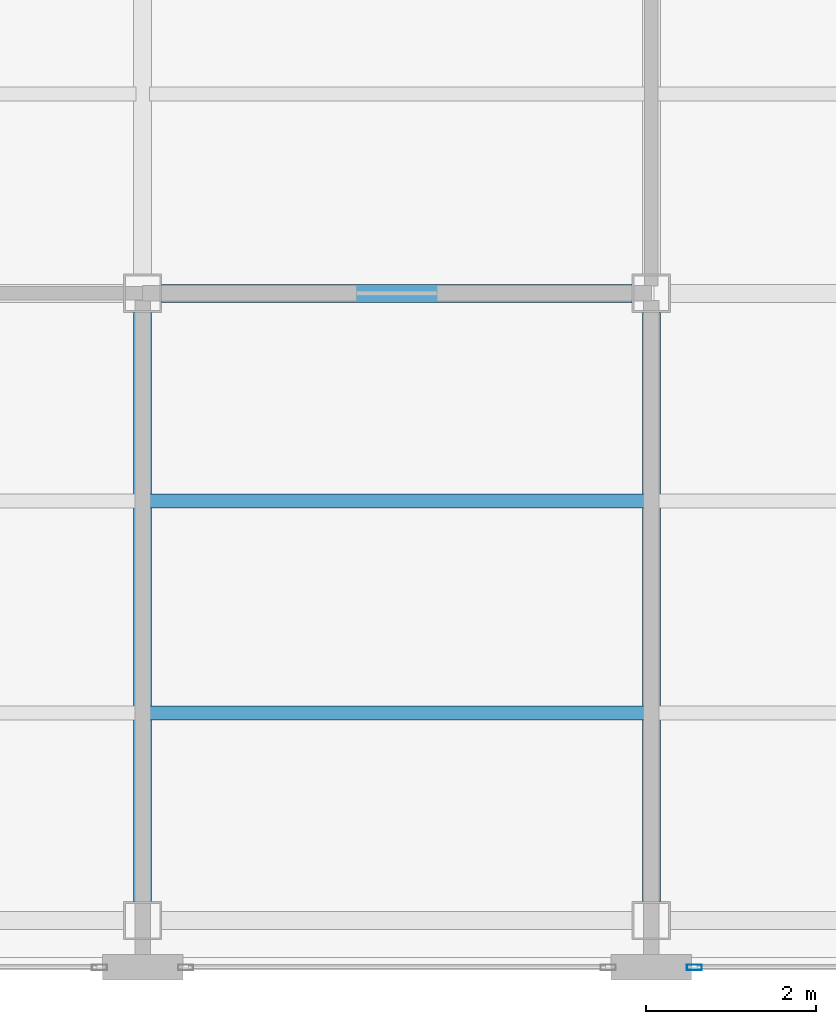
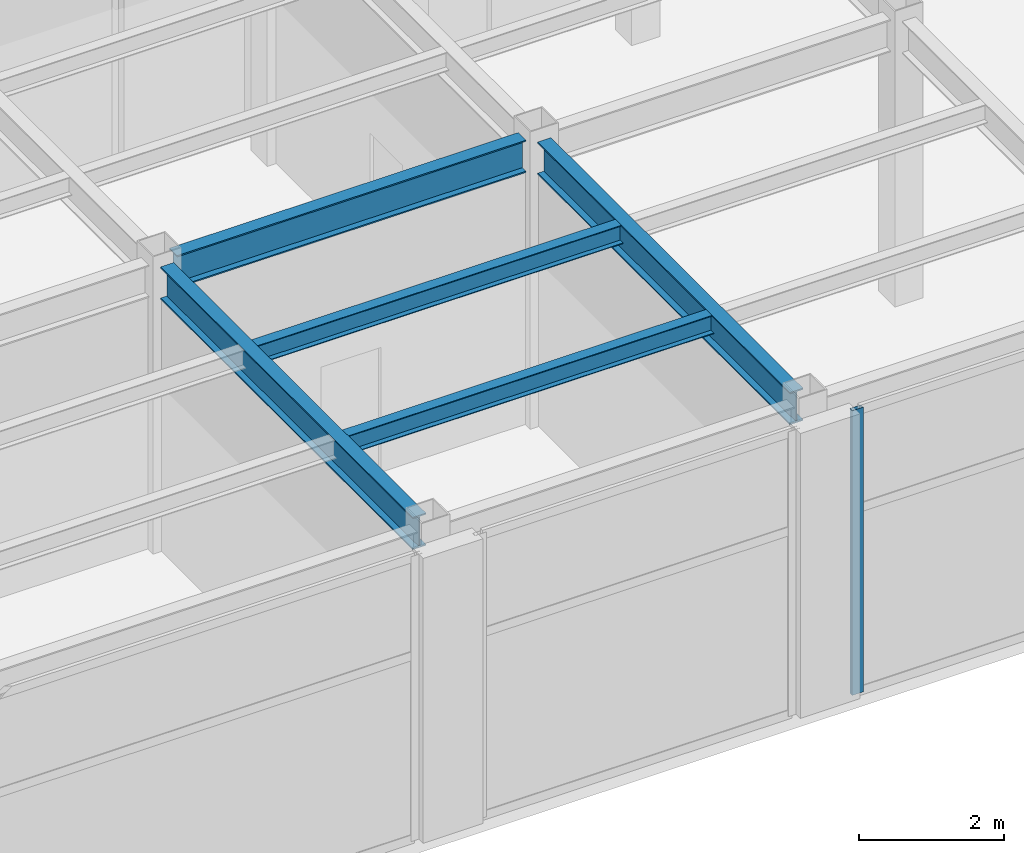
# One storey, part 5 of 16: 5 beams, 1 member, 1 element without a shape of its own.
"""IFC4 building model written with IfcOpenShell, lengths in metres."""

from ifc_helpers import new_model, si_unit, direction, frame, origin, origin_2d, place, context, subcontext, project, spatial, hollow_rectangle, i_section, extrude, material, layer, layer_set, material_profile, profile_set, type_object, element, aggregate, save


model = new_model("IFC4")

# Units and contexts
model_context = context("Model", 3, precision=1e-05, world=origin(), true_north=direction((0.0, 1.0)))
body_context = subcontext(model_context, "Body", "Model", "MODEL_VIEW")
ifc_project = project(units=[si_unit("LENGTHUNIT", "METRE"), si_unit("AREAUNIT", "SQUARE_METRE"), si_unit("VOLUMEUNIT", "CUBIC_METRE"), si_unit("PLANEANGLEUNIT", "RADIAN"), si_unit("MASSUNIT", "GRAM", prefix="KILO")], contexts=[model_context])

# Site, building, storey
site_placement = place(None, origin())
site = spatial("IfcSite", under=ifc_project, at=site_placement, CompositionType="ELEMENT")
building_placement = place(site_placement, origin())
building = spatial("IfcBuilding", under=site, at=building_placement, Name="Mawjaban Terraces University", CompositionType="ELEMENT")
storey_placement = place(building_placement, frame((0.0, 0.0, 170.800048828125)))
storey = spatial("IfcBuildingStorey", under=building, at=storey_placement, Name="L41", CompositionType="ELEMENT", Elevation=170.800048828125)

# Beams
ifc_material_1 = material(Name="Steel ASTM A572 Grade 50", Category="steel")
ifc_material_profile_1 = material_profile(ifc_material_1, i_section(OverallWidth=0.2119140625, OverallDepth=0.5439453125, WebThickness=0.01318359375, FlangeThickness=0.021240234375, at=origin_2d()), Name="W530X123")
ifc_profile_set_1 = profile_set([ifc_material_profile_1], Name="Steel ASTM A572 Grade 50")
beam_type_1 = type_object("IfcBeamType", Name="Beam_B_W530X123", PredefinedType="BEAM", material=ifc_profile_set_1)
beam_placement = place(storey_placement, frame((46.22509765625, 7.949951171875, 4.51806640625), z_axis=(1.0, 0.0, 0.0), x_axis=(0.0, 1.0, 0.0)))
element("IfcBeam", 1, at=beam_placement, inside=storey, type_object=beam_type_1, Name="L41 Beam BM-L41-EW-05", PredefinedType="BEAM", context=body_context, shape_type="SweptSolid", body=[
    extrude(i_section(OverallWidth=0.2119140625, OverallDepth=0.5439453125, WebThickness=0.01318359375, FlangeThickness=0.021240234375, at=origin_2d()), origin(), (0.0, 0.0, 1.0), 5.5498046875),
])
for number, where, z_axis, x_axis, name in (
    (2, (46.0, 0.77490234375, 4.51806640625), (0.0, 1.0, 0.0), (-1.0, 0.0, 0.0), "L41 Beam BM-L41-NS-10"),
    (3, (52.0, 0.77490234375, 4.51806640625), (0.0, 1.0, 0.0), (-1.0, 0.0, 0.0), "L41 Beam BM-L41-NS-12"),
):
    element("IfcBeam", number, at=place(storey_placement, frame(where, z_axis=z_axis, x_axis=x_axis)), inside=storey, type_object=beam_type_1, Name=name, PredefinedType="BEAM", context=body_context, shape_type="SweptSolid", body=[
        extrude(i_section(OverallWidth=0.2119140625, OverallDepth=0.5439453125, WebThickness=0.01318359375, FlangeThickness=0.021240234375, at=origin_2d()), origin(), (0.0, 0.0, 1.0), 6.9501953125),
    ])
ifc_material_profile_2 = material_profile(ifc_material_1, i_section(OverallWidth=0.1669921875, OverallDepth=0.318115234375, WebThickness=0.007568359375, FlangeThickness=0.01318359375, at=origin_2d()), Name="W310X52")
ifc_profile_set_2 = profile_set([ifc_material_profile_2], Name="Steel ASTM A572 Grade 50")
beam_type_2 = type_object("IfcBeamType", Name="Beam_J_W310X52", PredefinedType="JOIST", material=ifc_profile_set_2)
for number, where, z_axis, x_axis, name in (
    (4, (46.080078125, 3.0, 4.630859375), (1.0, 0.0, 0.0), (0.0, 1.0, 0.0), "L41 Composite Joist JST-L41-02"),
    (5, (46.080078125, 5.5, 4.630859375), (1.0, 0.0, 0.0), (0.0, 1.0, 0.0), "L41 Composite Joist JST-L41-05"),
):
    element("IfcBeam", number, at=place(storey_placement, frame(where, z_axis=z_axis, x_axis=x_axis)), inside=storey, type_object=beam_type_2, Name=name, PredefinedType="JOIST", context=body_context, shape_type="SweptSolid", body=[
        extrude(i_section(OverallWidth=0.1669921875, OverallDepth=0.318115234375, WebThickness=0.007568359375, FlangeThickness=0.01318359375, at=origin_2d()), origin(), (0.0, 0.0, 1.0), 5.83984375),
    ])

# Curtain wall, member
ifc_material_2 = material(Name="Anodised aluminium 6063-T6 and solar-control low-E glass", Category="aluminium")
ifc_layer = layer(ifc_material_2, 0.18994140625)
ifc_layer_set = layer_set([ifc_layer], Name="Anodised aluminium 6063-T6 and solar-control low-E glass")
curtain_wall_type = type_object("IfcCurtainWallType", Name="CWSystem_05_SkyLobby", PredefinedType="NOTDEFINED", material=ifc_layer_set)
curtain_wall_placement = place(storey_placement, origin())
curtain_wall = element("IfcCurtainWall", 6, at=curtain_wall_placement, inside=storey, type_object=curtain_wall_type, Name="L41 Curtain Wall CW-05 Run 1.4", PredefinedType="NOTDEFINED")
ifc_material_3 = material(Name="Anodised aluminium 6063-T6", Category="aluminium")
ifc_material_profile_3 = material_profile(ifc_material_3, hollow_rectangle(XDim=0.06494140625, YDim=0.179931640625, WallThickness=0.00390625, at=origin_2d()), Name="ALU180X65X4")
ifc_profile_set_3 = profile_set([ifc_material_profile_3], Name="Anodised aluminium 6063-T6")
member_type = type_object("IfcMemberType", Name="Mullion_CW-05", PredefinedType="MULLION", material=ifc_profile_set_3)
member_placement = place(storey_placement, frame((52.507568359375, 0.0, 0.0), z_axis=(0.0, 0.0, 1.0), x_axis=(0.0, 1.0, 0.0)))
member = element("IfcMember", 7, at=member_placement, type_object=member_type, Name="CW-05 mullion 1", PredefinedType="MULLION", context=body_context, shape_type="SweptSolid", body=[
    extrude(hollow_rectangle(XDim=0.06494140625, YDim=0.179931640625, WallThickness=0.00390625, at=origin_2d()), origin(), (0.0, 0.0, 1.0), 4.7900390625),
])
aggregate(curtain_wall, [member])

save(model, "model.ifc")
